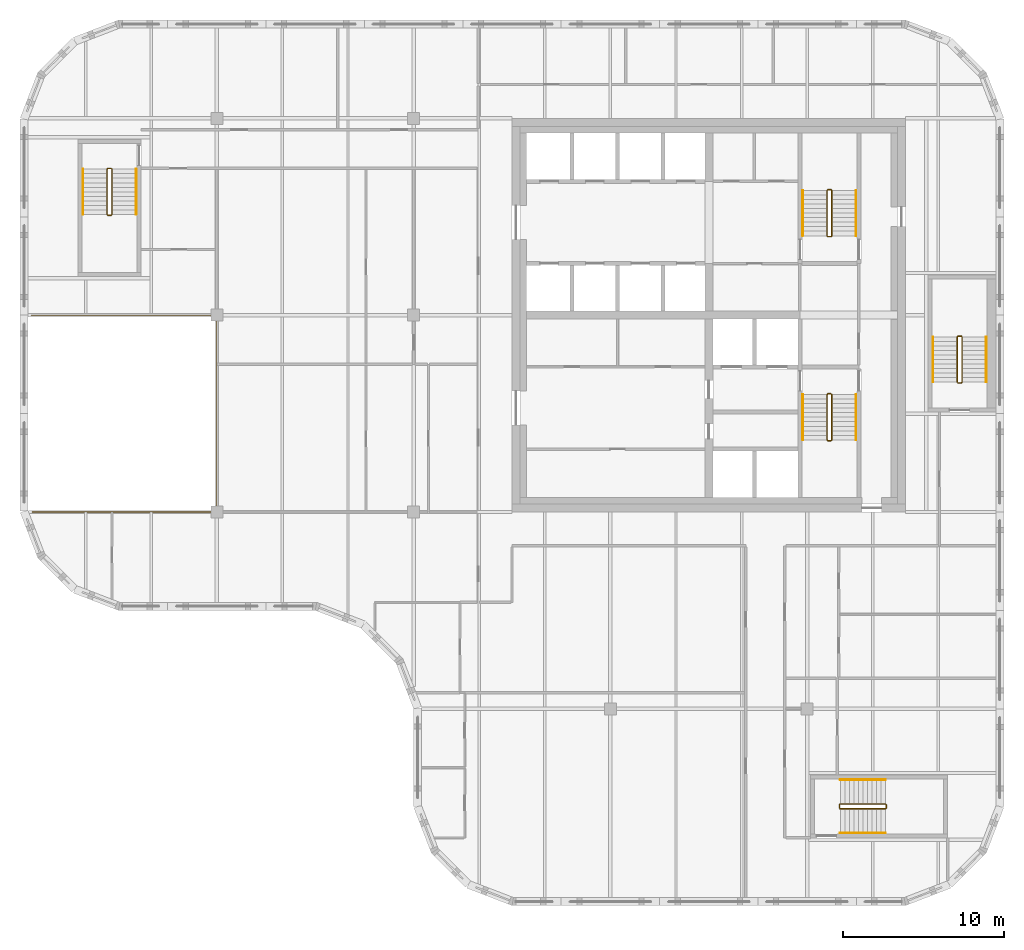
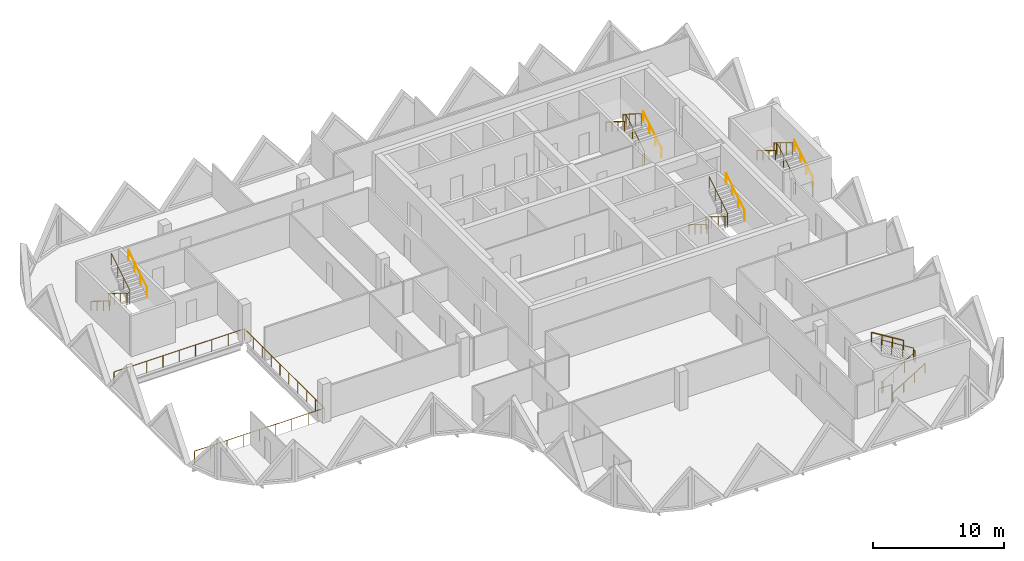
# One storey, part 11 of 11: 16 railings.
"""IFC4 building model written with IfcOpenShell, lengths in metres."""

from ifc_helpers import new_model, si_unit, direction, frame, origin, origin_2d, place, context, subcontext, project, spatial, circle, extrude, material, type_object, element, save


model = new_model("IFC4")

# Units and contexts
model_context = context("Model", 3, precision=1e-05, world=origin(), true_north=direction((0.0, 1.0)))
body_context = subcontext(model_context, "Body", "Model", "MODEL_VIEW")
ifc_project = project(units=[si_unit("LENGTHUNIT", "METRE"), si_unit("AREAUNIT", "SQUARE_METRE"), si_unit("VOLUMEUNIT", "CUBIC_METRE"), si_unit("PLANEANGLEUNIT", "RADIAN"), si_unit("MASSUNIT", "GRAM", prefix="KILO")], contexts=[model_context])

# Site, building, storey
site_placement = place(None, origin())
site = spatial("IfcSite", under=ifc_project, at=site_placement, CompositionType="ELEMENT")
building_placement = place(site_placement, origin())
building = spatial("IfcBuilding", under=site, at=building_placement, Name="Tessera Gate Towers", CompositionType="ELEMENT")
storey_placement = place(building_placement, frame((0.0, 0.0, 197.89990234375)))
storey = spatial("IfcBuildingStorey", under=building, at=storey_placement, Name="L49", CompositionType="ELEMENT", Elevation=197.89990234375)

# Railings
ifc_material_1 = material(Name="Toughened glass with stainless steel handrail", Category="steel")
railing_type_1 = type_object("IfcRailingType", Name="GUARD 1100 GLASS BALUSTRADE", PredefinedType="GUARDRAIL", material=ifc_material_1)
railing_1_placement = place(storey_placement, frame((0.750244140625, 24.39990234375, 0.0)))
element("IfcRailing", 1, at=railing_1_placement, inside=storey, type_object=railing_type_1, Name="Guard", PredefinedType="GUARDRAIL", context=body_context, shape_type="SweptSolid", body=[
    extrude(circle(Radius=0.02490234375, at=origin_2d()), frame((0.0, 0.0, 1.0751953125), z_axis=(1.0, 0.0, 0.0), x_axis=(0.0, 1.0, 0.0)), (0.0, 0.0, 1.0), 11.44970703125),
    extrude(circle(Radius=0.02490234375, at=origin_2d()), frame((11.44970703125, 0.0, 1.0751953125), z_axis=(0.0, 1.0, 0.0), x_axis=(-1.0, 0.0, 0.0)), (0.0, 0.0, 1.0), 12.2001953125),
    extrude(circle(Radius=0.02490234375, at=origin_2d()), frame((11.44970703125, 12.2001953125, 1.0751953125), z_axis=(-1.0, 0.0, 0.0), x_axis=(0.0, -1.0, 0.0)), (0.0, 0.0, 1.0), 11.5),
    extrude(circle(Radius=0.02490234375, at=origin_2d()), origin(), (0.0, 0.0, 1.0), 1.050048828125),
    extrude(circle(Radius=0.02490234375, at=origin_2d()), frame((1.43115234375, 0.0, 0.0)), (0.0, 0.0, 1.0), 1.050048828125),
    extrude(circle(Radius=0.02490234375, at=origin_2d()), frame((2.8623046875, 0.0, 0.0)), (0.0, 0.0, 1.0), 1.050048828125),
    extrude(circle(Radius=0.02490234375, at=origin_2d()), frame((4.293701171875, 0.0, 0.0)), (0.0, 0.0, 1.0), 1.050048828125),
    extrude(circle(Radius=0.02490234375, at=origin_2d()), frame((5.724853515625, 0.0, 0.0)), (0.0, 0.0, 1.0), 1.050048828125),
    extrude(circle(Radius=0.02490234375, at=origin_2d()), frame((7.156005859375, 0.0, 0.0)), (0.0, 0.0, 1.0), 1.050048828125),
    extrude(circle(Radius=0.02490234375, at=origin_2d()), frame((8.58740234375, 0.0, 0.0)), (0.0, 0.0, 1.0), 1.050048828125),
    extrude(circle(Radius=0.02490234375, at=origin_2d()), frame((10.0185546875, 0.0, 0.0)), (0.0, 0.0, 1.0), 1.050048828125),
    extrude(circle(Radius=0.02490234375, at=origin_2d()), frame((11.44970703125, 0.0, 0.0)), (0.0, 0.0, 1.0), 1.050048828125),
    extrude(circle(Radius=0.02490234375, at=origin_2d()), frame((11.44970703125, 1.35546875, 0.0)), (0.0, 0.0, 1.0), 1.050048828125),
    extrude(circle(Radius=0.02490234375, at=origin_2d()), frame((11.44970703125, 2.711181640625, 0.0)), (0.0, 0.0, 1.0), 1.050048828125),
    extrude(circle(Radius=0.02490234375, at=origin_2d()), frame((11.44970703125, 4.066650390625, 0.0)), (0.0, 0.0, 1.0), 1.050048828125),
    extrude(circle(Radius=0.02490234375, at=origin_2d()), frame((11.44970703125, 5.42236328125, 0.0)), (0.0, 0.0, 1.0), 1.050048828125),
    extrude(circle(Radius=0.02490234375, at=origin_2d()), frame((11.44970703125, 6.77783203125, 0.0)), (0.0, 0.0, 1.0), 1.050048828125),
    extrude(circle(Radius=0.02490234375, at=origin_2d()), frame((11.44970703125, 8.133544921875, 0.0)), (0.0, 0.0, 1.0), 1.050048828125),
    extrude(circle(Radius=0.02490234375, at=origin_2d()), frame((11.44970703125, 9.489013671875, 0.0)), (0.0, 0.0, 1.0), 1.050048828125),
    extrude(circle(Radius=0.02490234375, at=origin_2d()), frame((11.44970703125, 10.8447265625, 0.0)), (0.0, 0.0, 1.0), 1.050048828125),
    extrude(circle(Radius=0.02490234375, at=origin_2d()), frame((11.44970703125, 12.2001953125, 0.0)), (0.0, 0.0, 1.0), 1.050048828125),
    extrude(circle(Radius=0.02490234375, at=origin_2d()), frame((10.01220703125, 12.2001953125, 0.0)), (0.0, 0.0, 1.0), 1.050048828125),
    extrude(circle(Radius=0.02490234375, at=origin_2d()), frame((8.57470703125, 12.2001953125, 0.0)), (0.0, 0.0, 1.0), 1.050048828125),
    extrude(circle(Radius=0.02490234375, at=origin_2d()), frame((7.13720703125, 12.2001953125, 0.0)), (0.0, 0.0, 1.0), 1.050048828125),
    extrude(circle(Radius=0.02490234375, at=origin_2d()), frame((5.69970703125, 12.2001953125, 0.0)), (0.0, 0.0, 1.0), 1.050048828125),
    extrude(circle(Radius=0.02490234375, at=origin_2d()), frame((4.26220703125, 12.2001953125, 0.0)), (0.0, 0.0, 1.0), 1.050048828125),
    extrude(circle(Radius=0.02490234375, at=origin_2d()), frame((2.82470703125, 12.2001953125, 0.0)), (0.0, 0.0, 1.0), 1.050048828125),
    extrude(circle(Radius=0.02490234375, at=origin_2d()), frame((1.38720703125, 12.2001953125, 0.0)), (0.0, 0.0, 1.0), 1.050048828125),
    extrude(circle(Radius=0.02490234375, at=origin_2d()), frame((-0.05029296875, 12.2001953125, 0.0)), (0.0, 0.0, 1.0), 1.050048828125),
])
ifc_material_2 = material(Name="Steel 350W", Category="steel")
railing_type_2 = type_object("IfcRailingType", Name="STAIR GUARD 1100", PredefinedType="GUARDRAIL", material=ifc_material_2)
railing_2_placement = place(storey_placement, frame((50.27490234375, 31.72509765625, 0.0)))
element("IfcRailing", 2, at=railing_2_placement, inside=storey, type_object=railing_type_2, Name="L49 ST1 stair guard 1", PredefinedType="GUARDRAIL", context=body_context, shape_type="SweptSolid", body=[
    extrude(circle(Radius=0.02392578125, at=origin_2d()), frame((0.0, 0.0, 1.076171875), z_axis=(-1.0, 0.0, 0.0), x_axis=(0.0, -1.0, 0.0)), (0.0, 0.0, 1.0), 0.199951171875),
    extrude(circle(Radius=0.02392578125, at=origin_2d()), frame((-0.199951171875, 0.0, 1.076171875), z_axis=(-0.267953482034, -0.267953482034, 0.925419830635), x_axis=(0.707106781187, -0.707106781187, 0.0)), (0.0, 0.0, 1.0), 0.186767578125),
    extrude(circle(Radius=0.02392578125, at=origin_2d()), frame((-0.25, -0.050048828125, 1.2490234375), z_axis=(0.0, -0.851089632645, 0.525020415988), x_axis=(1.0, 0.0, 0.0)), (0.0, 0.0, 1.0), 3.2900390625),
    extrude(circle(Radius=0.02392578125, at=origin_2d()), frame((-0.25, -2.85009765625, 2.97607421875), z_axis=(0.707106781187, -0.707106781187, 0.0), x_axis=(0.707106781187, 0.707106781187, 0.0)), (0.0, 0.0, 1.0), 0.07080078125),
    extrude(circle(Radius=0.02392578125, at=origin_2d()), frame((-0.199951171875, -2.900146484375, 2.97607421875), z_axis=(1.0, 0.0, 0.0), x_axis=(0.0, 1.0, 0.0)), (0.0, 0.0, 1.0), 0.199951171875),
    extrude(circle(Radius=0.02392578125, at=origin_2d()), frame((0.0, -2.900146484375, 2.97607421875), z_axis=(0.268277960024, 0.268277960024, 0.925231793839), x_axis=(-0.707106781187, 0.707106781187, 0.0)), (0.0, 0.0, 1.0), 0.1865234375),
    extrude(circle(Radius=0.02392578125, at=origin_2d()), frame((0.050048828125, -2.85009765625, 3.14892578125), z_axis=(0.0, 0.851089632645, 0.525020415988), x_axis=(-1.0, 0.0, 0.0)), (0.0, 0.0, 1.0), 3.2900390625),
    extrude(circle(Radius=0.02099609375, at=origin_2d()), origin(), (0.0, 0.0, 1.0), 1.052001953125),
    extrude(circle(Radius=0.02099609375, at=origin_2d()), frame((-0.199951171875, 0.0, 0.0)), (0.0, 0.0, 1.0), 1.052001953125),
    extrude(circle(Radius=0.02099609375, at=origin_2d()), frame((-0.25, -0.050048828125, 0.1728515625)), (0.0, 0.0, 1.0), 1.052001953125),
    extrude(circle(Radius=0.02099609375, at=origin_2d()), frame((-0.25, -0.9833984375, 0.74853515625)), (0.0, 0.0, 1.0), 1.052001953125),
    extrude(circle(Radius=0.02099609375, at=origin_2d()), frame((-0.25, -1.916748046875, 1.324462890625)), (0.0, 0.0, 1.0), 1.052001953125),
    extrude(circle(Radius=0.02099609375, at=origin_2d()), frame((-0.25, -2.85009765625, 1.900146484375)), (0.0, 0.0, 1.0), 1.052001953125),
    extrude(circle(Radius=0.02099609375, at=origin_2d()), frame((-0.199951171875, -2.900146484375, 1.900146484375)), (0.0, 0.0, 1.0), 1.052001953125),
    extrude(circle(Radius=0.02099609375, at=origin_2d()), frame((0.0, -2.900146484375, 1.900146484375)), (0.0, 0.0, 1.0), 1.052001953125),
    extrude(circle(Radius=0.02099609375, at=origin_2d()), frame((0.050048828125, -2.85009765625, 2.07275390625)), (0.0, 0.0, 1.0), 1.052001953125),
    extrude(circle(Radius=0.02099609375, at=origin_2d()), frame((0.050048828125, -1.916748046875, 2.6484375)), (0.0, 0.0, 1.0), 1.052001953125),
    extrude(circle(Radius=0.02099609375, at=origin_2d()), frame((0.050048828125, -0.9833984375, 3.224365234375)), (0.0, 0.0, 1.0), 1.052001953125),
    extrude(circle(Radius=0.02099609375, at=origin_2d()), frame((0.050048828125, -0.050048828125, 3.800048828125)), (0.0, 0.0, 1.0), 1.052001953125),
])
railing_3_placement = place(storey_placement, frame((50.074951171875, 41.47509765625, 0.0)))
element("IfcRailing", 3, at=railing_3_placement, inside=storey, type_object=railing_type_2, Name="L49 ST2 stair guard 1", PredefinedType="GUARDRAIL", context=body_context, shape_type="SweptSolid", body=[
    extrude(circle(Radius=0.02392578125, at=origin_2d()), frame((0.0, 0.0, 1.076171875), z_axis=(1.0, 0.0, 0.0), x_axis=(0.0, 1.0, 0.0)), (0.0, 0.0, 1.0), 0.199951171875),
    extrude(circle(Radius=0.02392578125, at=origin_2d()), frame((0.199951171875, 0.0, 1.076171875), z_axis=(0.268047150085, 0.266739603011, 0.925743328097), x_axis=(-0.705375805398, 0.708833529934, 0.0)), (0.0, 0.0, 1.0), 0.186767578125),
    extrude(circle(Radius=0.02392578125, at=origin_2d()), frame((0.25, 0.0498046875, 1.2490234375), z_axis=(0.0, 0.851089632645, 0.525020415988), x_axis=(-1.0, 0.0, 0.0)), (0.0, 0.0, 1.0), 3.2900390625),
    extrude(circle(Radius=0.02392578125, at=origin_2d()), frame((0.25, 2.849853515625, 2.97607421875), z_axis=(-0.707106781187, 0.707106781187, 0.0), x_axis=(-0.707106781187, -0.707106781187, 0.0)), (0.0, 0.0, 1.0), 0.07080078125),
    extrude(circle(Radius=0.02392578125, at=origin_2d()), frame((0.199951171875, 2.89990234375, 2.97607421875), z_axis=(-1.0, 0.0, 0.0), x_axis=(0.0, -1.0, 0.0)), (0.0, 0.0, 1.0), 0.199951171875),
    extrude(circle(Radius=0.02392578125, at=origin_2d()), frame((0.0, 2.89990234375, 2.97607421875), z_axis=(-0.268277960024, -0.268277960024, 0.925231793839), x_axis=(0.707106781187, -0.707106781187, 0.0)), (0.0, 0.0, 1.0), 0.1865234375),
    extrude(circle(Radius=0.02392578125, at=origin_2d()), frame((-0.050048828125, 2.849853515625, 3.14892578125), z_axis=(0.0, -0.851089632645, 0.525020415988), x_axis=(1.0, 0.0, 0.0)), (0.0, 0.0, 1.0), 3.2900390625),
    extrude(circle(Radius=0.02099609375, at=origin_2d()), origin(), (0.0, 0.0, 1.0), 1.052001953125),
    extrude(circle(Radius=0.02099609375, at=origin_2d()), frame((0.199951171875, 0.0, 0.0)), (0.0, 0.0, 1.0), 1.052001953125),
    extrude(circle(Radius=0.02099609375, at=origin_2d()), frame((0.25, 0.0498046875, 0.1728515625)), (0.0, 0.0, 1.0), 1.052001953125),
    extrude(circle(Radius=0.02099609375, at=origin_2d()), frame((0.25, 0.983154296875, 0.74853515625)), (0.0, 0.0, 1.0), 1.052001953125),
    extrude(circle(Radius=0.02099609375, at=origin_2d()), frame((0.25, 1.91650390625, 1.324462890625)), (0.0, 0.0, 1.0), 1.052001953125),
    extrude(circle(Radius=0.02099609375, at=origin_2d()), frame((0.25, 2.849853515625, 1.900146484375)), (0.0, 0.0, 1.0), 1.052001953125),
    extrude(circle(Radius=0.02099609375, at=origin_2d()), frame((0.199951171875, 2.89990234375, 1.900146484375)), (0.0, 0.0, 1.0), 1.052001953125),
    extrude(circle(Radius=0.02099609375, at=origin_2d()), frame((0.0, 2.89990234375, 1.900146484375)), (0.0, 0.0, 1.0), 1.052001953125),
    extrude(circle(Radius=0.02099609375, at=origin_2d()), frame((-0.050048828125, 2.849853515625, 2.07275390625)), (0.0, 0.0, 1.0), 1.052001953125),
    extrude(circle(Radius=0.02099609375, at=origin_2d()), frame((-0.050048828125, 1.91650390625, 2.6484375)), (0.0, 0.0, 1.0), 1.052001953125),
    extrude(circle(Radius=0.02099609375, at=origin_2d()), frame((-0.050048828125, 0.983154296875, 3.224365234375)), (0.0, 0.0, 1.0), 1.052001953125),
    extrude(circle(Radius=0.02099609375, at=origin_2d()), frame((-0.050048828125, 0.0498046875, 3.800048828125)), (0.0, 0.0, 1.0), 1.052001953125),
])
railing_4_placement = place(storey_placement, frame((5.64990234375, 45.699951171875, 0.0)))
element("IfcRailing", 4, at=railing_4_placement, inside=storey, type_object=railing_type_2, Name="L49 ST3 stair guard 1", PredefinedType="GUARDRAIL", context=body_context, shape_type="SweptSolid", body=[
    extrude(circle(Radius=0.02392578125, at=origin_2d()), frame((0.0, 0.0, 1.076171875), z_axis=(-1.0, 0.0, 0.0), x_axis=(0.0, -1.0, 0.0)), (0.0, 0.0, 1.0), 0.199951171875),
    extrude(circle(Radius=0.02392578125, at=origin_2d()), frame((-0.199951171875, 0.0, 1.076171875), z_axis=(-0.267953482034, -0.267953482034, 0.925419830635), x_axis=(0.707106781187, -0.707106781187, 0.0)), (0.0, 0.0, 1.0), 0.186767578125),
    extrude(circle(Radius=0.02392578125, at=origin_2d()), frame((-0.25, -0.050048828125, 1.2490234375), z_axis=(0.0, -0.851069175582, 0.525053576669), x_axis=(1.0, 0.0, 0.0)), (0.0, 0.0, 1.0), 3.289794921875),
    extrude(circle(Radius=0.02392578125, at=origin_2d()), frame((-0.25, -2.849853515625, 2.97607421875), z_axis=(0.707106781187, -0.707106781187, 0.0), x_axis=(0.707106781187, 0.707106781187, 0.0)), (0.0, 0.0, 1.0), 0.07080078125),
    extrude(circle(Radius=0.02392578125, at=origin_2d()), frame((-0.199951171875, -2.89990234375, 2.97607421875), z_axis=(1.0, 0.0, 0.0), x_axis=(0.0, 1.0, 0.0)), (0.0, 0.0, 1.0), 0.199951171875),
    extrude(circle(Radius=0.02392578125, at=origin_2d()), frame((0.0, -2.89990234375, 2.97607421875), z_axis=(0.268277960024, 0.268277960024, 0.925231793839), x_axis=(-0.707106781187, 0.707106781187, 0.0)), (0.0, 0.0, 1.0), 0.1865234375),
    extrude(circle(Radius=0.02392578125, at=origin_2d()), frame((0.050048828125, -2.849853515625, 3.14892578125), z_axis=(0.0, 0.851069175582, 0.525053576669), x_axis=(-1.0, 0.0, 0.0)), (0.0, 0.0, 1.0), 3.289794921875),
    extrude(circle(Radius=0.02099609375, at=origin_2d()), origin(), (0.0, 0.0, 1.0), 1.052001953125),
    extrude(circle(Radius=0.02099609375, at=origin_2d()), frame((-0.199951171875, 0.0, 0.0)), (0.0, 0.0, 1.0), 1.052001953125),
    extrude(circle(Radius=0.02099609375, at=origin_2d()), frame((-0.25, -0.050048828125, 0.1728515625)), (0.0, 0.0, 1.0), 1.052001953125),
    extrude(circle(Radius=0.02099609375, at=origin_2d()), frame((-0.25, -0.9833984375, 0.74853515625)), (0.0, 0.0, 1.0), 1.052001953125),
    extrude(circle(Radius=0.02099609375, at=origin_2d()), frame((-0.25, -1.91650390625, 1.324462890625)), (0.0, 0.0, 1.0), 1.052001953125),
    extrude(circle(Radius=0.02099609375, at=origin_2d()), frame((-0.25, -2.849853515625, 1.900146484375)), (0.0, 0.0, 1.0), 1.052001953125),
    extrude(circle(Radius=0.02099609375, at=origin_2d()), frame((-0.199951171875, -2.89990234375, 1.900146484375)), (0.0, 0.0, 1.0), 1.052001953125),
    extrude(circle(Radius=0.02099609375, at=origin_2d()), frame((0.0, -2.89990234375, 1.900146484375)), (0.0, 0.0, 1.0), 1.052001953125),
    extrude(circle(Radius=0.02099609375, at=origin_2d()), frame((0.050048828125, -2.849853515625, 2.07275390625)), (0.0, 0.0, 1.0), 1.052001953125),
    extrude(circle(Radius=0.02099609375, at=origin_2d()), frame((0.050048828125, -1.91650390625, 2.6484375)), (0.0, 0.0, 1.0), 1.052001953125),
    extrude(circle(Radius=0.02099609375, at=origin_2d()), frame((0.050048828125, -0.9833984375, 3.224365234375)), (0.0, 0.0, 1.0), 1.052001953125),
    extrude(circle(Radius=0.02099609375, at=origin_2d()), frame((0.050048828125, -0.050048828125, 3.800048828125)), (0.0, 0.0, 1.0), 1.052001953125),
])
railing_5_placement = place(storey_placement, frame((50.800048828125, 6.25, 0.0)))
element("IfcRailing", 5, at=railing_5_placement, inside=storey, type_object=railing_type_2, Name="L49 ST4 stair guard 1", PredefinedType="GUARDRAIL", context=body_context, shape_type="SweptSolid", body=[
    extrude(circle(Radius=0.02392578125, at=origin_2d()), frame((0.0, 0.0, 1.076171875), z_axis=(0.0, -1.0, 0.0), x_axis=(1.0, 0.0, 0.0)), (0.0, 0.0, 1.0), 0.199951171875),
    extrude(circle(Radius=0.02392578125, at=origin_2d()), frame((0.0, -0.199951171875, 1.076171875), z_axis=(0.267953482034, -0.267953482034, 0.925419830635), x_axis=(0.707106781187, 0.707106781187, 0.0)), (0.0, 0.0, 1.0), 0.186767578125),
    extrude(circle(Radius=0.02392578125, at=origin_2d()), frame((0.050048828125, -0.25, 1.2490234375), z_axis=(0.851069175582, 0.0, 0.525053576669), x_axis=(0.0, 1.0, 0.0)), (0.0, 0.0, 1.0), 3.289794921875),
    extrude(circle(Radius=0.02392578125, at=origin_2d()), frame((2.849853515625, -0.25, 2.97607421875), z_axis=(0.707106781187, 0.707106781187, 0.0), x_axis=(-0.707106781187, 0.707106781187, 0.0)), (0.0, 0.0, 1.0), 0.07080078125),
    extrude(circle(Radius=0.02392578125, at=origin_2d()), frame((2.89990234375, -0.199951171875, 2.97607421875), z_axis=(0.0, 1.0, 0.0), x_axis=(-1.0, 0.0, 0.0)), (0.0, 0.0, 1.0), 0.199951171875),
    extrude(circle(Radius=0.02392578125, at=origin_2d()), frame((2.89990234375, 0.0, 2.97607421875), z_axis=(-0.268277960024, 0.268277960024, 0.925231793839), x_axis=(-0.707106781187, -0.707106781187, 0.0)), (0.0, 0.0, 1.0), 0.1865234375),
    extrude(circle(Radius=0.02392578125, at=origin_2d()), frame((2.849853515625, 0.050048828125, 3.14892578125), z_axis=(-0.851069175582, 0.0, 0.525053576669), x_axis=(0.0, -1.0, 0.0)), (0.0, 0.0, 1.0), 3.289794921875),
    extrude(circle(Radius=0.02099609375, at=origin_2d()), origin(), (0.0, 0.0, 1.0), 1.052001953125),
    extrude(circle(Radius=0.02099609375, at=origin_2d()), frame((0.0, -0.199951171875, 0.0)), (0.0, 0.0, 1.0), 1.052001953125),
    extrude(circle(Radius=0.02099609375, at=origin_2d()), frame((0.050048828125, -0.25, 0.1728515625)), (0.0, 0.0, 1.0), 1.052001953125),
    extrude(circle(Radius=0.02099609375, at=origin_2d()), frame((0.9833984375, -0.25, 0.74853515625)), (0.0, 0.0, 1.0), 1.052001953125),
    extrude(circle(Radius=0.02099609375, at=origin_2d()), frame((1.91650390625, -0.25, 1.324462890625)), (0.0, 0.0, 1.0), 1.052001953125),
    extrude(circle(Radius=0.02099609375, at=origin_2d()), frame((2.849853515625, -0.25, 1.900146484375)), (0.0, 0.0, 1.0), 1.052001953125),
    extrude(circle(Radius=0.02099609375, at=origin_2d()), frame((2.89990234375, -0.199951171875, 1.900146484375)), (0.0, 0.0, 1.0), 1.052001953125),
    extrude(circle(Radius=0.02099609375, at=origin_2d()), frame((2.89990234375, 0.0, 1.900146484375)), (0.0, 0.0, 1.0), 1.052001953125),
    extrude(circle(Radius=0.02099609375, at=origin_2d()), frame((2.849853515625, 0.050048828125, 2.07275390625)), (0.0, 0.0, 1.0), 1.052001953125),
    extrude(circle(Radius=0.02099609375, at=origin_2d()), frame((1.91650390625, 0.050048828125, 2.6484375)), (0.0, 0.0, 1.0), 1.052001953125),
    extrude(circle(Radius=0.02099609375, at=origin_2d()), frame((0.9833984375, 0.050048828125, 3.224365234375)), (0.0, 0.0, 1.0), 1.052001953125),
    extrude(circle(Radius=0.02099609375, at=origin_2d()), frame((0.050048828125, 0.050048828125, 3.800048828125)), (0.0, 0.0, 1.0), 1.052001953125),
])
railing_6_placement = place(storey_placement, frame((58.14990234375, 32.39990234375, 0.0)))
element("IfcRailing", 6, at=railing_6_placement, inside=storey, type_object=railing_type_2, Name="L49 ST5 stair guard 1", PredefinedType="GUARDRAIL", context=body_context, shape_type="SweptSolid", body=[
    extrude(circle(Radius=0.02392578125, at=origin_2d()), frame((0.0, 0.0, 1.076171875), z_axis=(1.0, 0.0, 0.0), x_axis=(0.0, 1.0, 0.0)), (0.0, 0.0, 1.0), 0.2001953125),
    extrude(circle(Radius=0.02392578125, at=origin_2d()), frame((0.2001953125, 0.0, 1.076171875), z_axis=(0.266739603011, 0.268047150085, 0.925743328097), x_axis=(-0.708833529934, 0.705375805398, 0.0)), (0.0, 0.0, 1.0), 0.186767578125),
    extrude(circle(Radius=0.02392578125, at=origin_2d()), frame((0.25, 0.050048828125, 1.2490234375), z_axis=(0.0, 0.851089632645, 0.525020415988), x_axis=(-1.0, 0.0, 0.0)), (0.0, 0.0, 1.0), 3.2900390625),
    extrude(circle(Radius=0.02392578125, at=origin_2d()), frame((0.25, 2.85009765625, 2.97607421875), z_axis=(-0.705375805398, 0.708833529934, 0.0), x_axis=(-0.708833529934, -0.705375805398, 0.0)), (0.0, 0.0, 1.0), 0.070556640625),
    extrude(circle(Radius=0.02392578125, at=origin_2d()), frame((0.2001953125, 2.900146484375, 2.97607421875), z_axis=(-1.0, 0.0, 0.0), x_axis=(0.0, -1.0, 0.0)), (0.0, 0.0, 1.0), 0.2001953125),
    extrude(circle(Radius=0.02392578125, at=origin_2d()), frame((0.0, 2.900146484375, 2.97607421875), z_axis=(-0.267062837333, -0.268371968888, 0.925556009775), x_axis=(0.708833529934, -0.705375805398, 0.0)), (0.0, 0.0, 1.0), 0.1865234375),
    extrude(circle(Radius=0.02392578125, at=origin_2d()), frame((-0.0498046875, 2.85009765625, 3.14892578125), z_axis=(0.0, -0.851089632645, 0.525020415988), x_axis=(1.0, 0.0, 0.0)), (0.0, 0.0, 1.0), 3.2900390625),
    extrude(circle(Radius=0.02099609375, at=origin_2d()), origin(), (0.0, 0.0, 1.0), 1.052001953125),
    extrude(circle(Radius=0.02099609375, at=origin_2d()), frame((0.2001953125, 0.0, 0.0)), (0.0, 0.0, 1.0), 1.052001953125),
    extrude(circle(Radius=0.02099609375, at=origin_2d()), frame((0.25, 0.050048828125, 0.1728515625)), (0.0, 0.0, 1.0), 1.052001953125),
    extrude(circle(Radius=0.02099609375, at=origin_2d()), frame((0.25, 0.9833984375, 0.74853515625)), (0.0, 0.0, 1.0), 1.052001953125),
    extrude(circle(Radius=0.02099609375, at=origin_2d()), frame((0.25, 1.916748046875, 1.324462890625)), (0.0, 0.0, 1.0), 1.052001953125),
    extrude(circle(Radius=0.02099609375, at=origin_2d()), frame((0.25, 2.85009765625, 1.900146484375)), (0.0, 0.0, 1.0), 1.052001953125),
    extrude(circle(Radius=0.02099609375, at=origin_2d()), frame((0.2001953125, 2.900146484375, 1.900146484375)), (0.0, 0.0, 1.0), 1.052001953125),
    extrude(circle(Radius=0.02099609375, at=origin_2d()), frame((0.0, 2.900146484375, 1.900146484375)), (0.0, 0.0, 1.0), 1.052001953125),
    extrude(circle(Radius=0.02099609375, at=origin_2d()), frame((-0.0498046875, 2.85009765625, 2.07275390625)), (0.0, 0.0, 1.0), 1.052001953125),
    extrude(circle(Radius=0.02099609375, at=origin_2d()), frame((-0.0498046875, 1.916748046875, 2.6484375)), (0.0, 0.0, 1.0), 1.052001953125),
    extrude(circle(Radius=0.02099609375, at=origin_2d()), frame((-0.0498046875, 0.9833984375, 3.224365234375)), (0.0, 0.0, 1.0), 1.052001953125),
    extrude(circle(Radius=0.02099609375, at=origin_2d()), frame((-0.0498046875, 0.050048828125, 3.800048828125)), (0.0, 0.0, 1.0), 1.052001953125),
])
ifc_material_3 = material(Name="Steel 350W", Category="steel")
railing_type_3 = type_object("IfcRailingType", Name="STAIR HANDRAIL 900", PredefinedType="HANDRAIL", material=ifc_material_3)
railing_7_placement = place(storey_placement, frame((48.52490234375, 31.675048828125, 0.1728515625)))
element("IfcRailing", 7, at=railing_7_placement, inside=storey, type_object=railing_type_3, Name="L49 ST1 stair handrail 1", PredefinedType="HANDRAIL", context=body_context, shape_type="SweptSolid", body=[
    extrude(circle(Radius=0.02392578125, at=origin_2d()), frame((0.0, 0.0, 0.8759765625), z_axis=(0.0, -0.851089632645, 0.525020415988), x_axis=(1.0, 0.0, 0.0)), (0.0, 0.0, 1.0), 3.2900390625),
    extrude(circle(Radius=0.02099609375, at=origin_2d()), origin(), (0.0, 0.0, 1.0), 0.851806640625),
    extrude(circle(Radius=0.02099609375, at=origin_2d()), frame((0.0, -0.933349609375, 0.57568359375)), (0.0, 0.0, 1.0), 0.851806640625),
    extrude(circle(Radius=0.02099609375, at=origin_2d()), frame((0.0, -1.86669921875, 1.151611328125)), (0.0, 0.0, 1.0), 0.851806640625),
    extrude(circle(Radius=0.02099609375, at=origin_2d()), frame((0.0, -2.800048828125, 1.727294921875)), (0.0, 0.0, 1.0), 0.851806640625),
])
for number, where, name in (
    (8, (51.824951171875, 28.875, 2.07275390625), "L49 ST1 stair handrail 2"),
    (9, (51.824951171875, 41.52490234375, 0.1728515625), "L49 ST2 stair handrail 1"),
):
    element("IfcRailing", number, at=place(storey_placement, frame(where)), inside=storey, type_object=railing_type_3, Name=name, PredefinedType="HANDRAIL", context=body_context, shape_type="SweptSolid", body=[
        extrude(circle(Radius=0.02392578125, at=origin_2d()), frame((0.0, 0.0, 0.8759765625), z_axis=(0.0, 0.851089632645, 0.525020415988), x_axis=(-1.0, 0.0, 0.0)), (0.0, 0.0, 1.0), 3.2900390625),
        extrude(circle(Radius=0.02099609375, at=origin_2d()), origin(), (0.0, 0.0, 1.0), 0.851806640625),
        extrude(circle(Radius=0.02099609375, at=origin_2d()), frame((0.0, 0.933349609375, 0.57568359375)), (0.0, 0.0, 1.0), 0.851806640625),
        extrude(circle(Radius=0.02099609375, at=origin_2d()), frame((0.0, 1.86669921875, 1.151611328125)), (0.0, 0.0, 1.0), 0.851806640625),
        extrude(circle(Radius=0.02099609375, at=origin_2d()), frame((0.0, 2.800048828125, 1.727294921875)), (0.0, 0.0, 1.0), 0.851806640625),
    ])
railing_8_placement = place(storey_placement, frame((48.52490234375, 44.324951171875, 2.07275390625)))
element("IfcRailing", 10, at=railing_8_placement, inside=storey, type_object=railing_type_3, Name="L49 ST2 stair handrail 2", PredefinedType="HANDRAIL", context=body_context, shape_type="SweptSolid", body=[
    extrude(circle(Radius=0.02392578125, at=origin_2d()), frame((0.0, 0.0, 0.8759765625), z_axis=(0.0, -0.851089632645, 0.525020415988), x_axis=(1.0, 0.0, 0.0)), (0.0, 0.0, 1.0), 3.2900390625),
    extrude(circle(Radius=0.02099609375, at=origin_2d()), origin(), (0.0, 0.0, 1.0), 0.851806640625),
    extrude(circle(Radius=0.02099609375, at=origin_2d()), frame((0.0, -0.933349609375, 0.57568359375)), (0.0, 0.0, 1.0), 0.851806640625),
    extrude(circle(Radius=0.02099609375, at=origin_2d()), frame((0.0, -1.86669921875, 1.151611328125)), (0.0, 0.0, 1.0), 0.851806640625),
    extrude(circle(Radius=0.02099609375, at=origin_2d()), frame((0.0, -2.800048828125, 1.727294921875)), (0.0, 0.0, 1.0), 0.851806640625),
])
railing_9_placement = place(storey_placement, frame((3.89990234375, 45.64990234375, 0.1728515625)))
element("IfcRailing", 11, at=railing_9_placement, inside=storey, type_object=railing_type_3, Name="L49 ST3 stair handrail 1", PredefinedType="HANDRAIL", context=body_context, shape_type="SweptSolid", body=[
    extrude(circle(Radius=0.02392578125, at=origin_2d()), frame((0.0, 0.0, 0.8759765625), z_axis=(0.0, -0.851069175582, 0.525053576669), x_axis=(1.0, 0.0, 0.0)), (0.0, 0.0, 1.0), 3.289794921875),
    extrude(circle(Radius=0.02099609375, at=origin_2d()), origin(), (0.0, 0.0, 1.0), 0.851806640625),
    extrude(circle(Radius=0.02099609375, at=origin_2d()), frame((0.0, -0.933349609375, 0.57568359375)), (0.0, 0.0, 1.0), 0.851806640625),
    extrude(circle(Radius=0.02099609375, at=origin_2d()), frame((0.0, -1.866455078125, 1.151611328125)), (0.0, 0.0, 1.0), 0.851806640625),
    extrude(circle(Radius=0.02099609375, at=origin_2d()), frame((0.0, -2.7998046875, 1.727294921875)), (0.0, 0.0, 1.0), 0.851806640625),
])
railing_10_placement = place(storey_placement, frame((7.199951171875, 42.85009765625, 2.07275390625)))
element("IfcRailing", 12, at=railing_10_placement, inside=storey, type_object=railing_type_3, Name="L49 ST3 stair handrail 2", PredefinedType="HANDRAIL", context=body_context, shape_type="SweptSolid", body=[
    extrude(circle(Radius=0.02392578125, at=origin_2d()), frame((0.0, 0.0, 0.8759765625), z_axis=(0.0, 0.851069175582, 0.525053576669), x_axis=(-1.0, 0.0, 0.0)), (0.0, 0.0, 1.0), 3.289794921875),
    extrude(circle(Radius=0.02099609375, at=origin_2d()), origin(), (0.0, 0.0, 1.0), 0.851806640625),
    extrude(circle(Radius=0.02099609375, at=origin_2d()), frame((0.0, 0.933349609375, 0.57568359375)), (0.0, 0.0, 1.0), 0.851806640625),
    extrude(circle(Radius=0.02099609375, at=origin_2d()), frame((0.0, 1.866455078125, 1.151611328125)), (0.0, 0.0, 1.0), 0.851806640625),
    extrude(circle(Radius=0.02099609375, at=origin_2d()), frame((0.0, 2.7998046875, 1.727294921875)), (0.0, 0.0, 1.0), 0.851806640625),
])
railing_11_placement = place(storey_placement, frame((50.85009765625, 4.5, 0.1728515625)))
element("IfcRailing", 13, at=railing_11_placement, inside=storey, type_object=railing_type_3, Name="L49 ST4 stair handrail 1", PredefinedType="HANDRAIL", context=body_context, shape_type="SweptSolid", body=[
    extrude(circle(Radius=0.02392578125, at=origin_2d()), frame((0.0, 0.0, 0.8759765625), z_axis=(0.851069175582, 0.0, 0.525053576669), x_axis=(0.0, 1.0, 0.0)), (0.0, 0.0, 1.0), 3.289794921875),
    extrude(circle(Radius=0.02099609375, at=origin_2d()), origin(), (0.0, 0.0, 1.0), 0.851806640625),
    extrude(circle(Radius=0.02099609375, at=origin_2d()), frame((0.933349609375, 0.0, 0.57568359375)), (0.0, 0.0, 1.0), 0.851806640625),
    extrude(circle(Radius=0.02099609375, at=origin_2d()), frame((1.866455078125, 0.0, 1.151611328125)), (0.0, 0.0, 1.0), 0.851806640625),
    extrude(circle(Radius=0.02099609375, at=origin_2d()), frame((2.7998046875, 0.0, 1.727294921875)), (0.0, 0.0, 1.0), 0.851806640625),
])
railing_12_placement = place(storey_placement, frame((53.64990234375, 7.800048828125, 2.07275390625)))
element("IfcRailing", 14, at=railing_12_placement, inside=storey, type_object=railing_type_3, Name="L49 ST4 stair handrail 2", PredefinedType="HANDRAIL", context=body_context, shape_type="SweptSolid", body=[
    extrude(circle(Radius=0.02392578125, at=origin_2d()), frame((0.0, 0.0, 0.8759765625), z_axis=(-0.851069175582, 0.0, 0.525053576669), x_axis=(0.0, -1.0, 0.0)), (0.0, 0.0, 1.0), 3.289794921875),
    extrude(circle(Radius=0.02099609375, at=origin_2d()), origin(), (0.0, 0.0, 1.0), 0.851806640625),
    extrude(circle(Radius=0.02099609375, at=origin_2d()), frame((-0.933349609375, 0.0, 0.57568359375)), (0.0, 0.0, 1.0), 0.851806640625),
    extrude(circle(Radius=0.02099609375, at=origin_2d()), frame((-1.866455078125, 0.0, 1.151611328125)), (0.0, 0.0, 1.0), 0.851806640625),
    extrude(circle(Radius=0.02099609375, at=origin_2d()), frame((-2.7998046875, 0.0, 1.727294921875)), (0.0, 0.0, 1.0), 0.851806640625),
])
railing_13_placement = place(storey_placement, frame((59.89990234375, 32.449951171875, 0.1728515625)))
element("IfcRailing", 15, at=railing_13_placement, inside=storey, type_object=railing_type_3, Name="L49 ST5 stair handrail 1", PredefinedType="HANDRAIL", context=body_context, shape_type="SweptSolid", body=[
    extrude(circle(Radius=0.02392578125, at=origin_2d()), frame((0.0, 0.0, 0.8759765625), z_axis=(0.0, 0.851089632645, 0.525020415988), x_axis=(-1.0, 0.0, 0.0)), (0.0, 0.0, 1.0), 3.2900390625),
    extrude(circle(Radius=0.02099609375, at=origin_2d()), origin(), (0.0, 0.0, 1.0), 0.851806640625),
    extrude(circle(Radius=0.02099609375, at=origin_2d()), frame((0.0, 0.933349609375, 0.57568359375)), (0.0, 0.0, 1.0), 0.851806640625),
    extrude(circle(Radius=0.02099609375, at=origin_2d()), frame((0.0, 1.86669921875, 1.151611328125)), (0.0, 0.0, 1.0), 0.851806640625),
    extrude(circle(Radius=0.02099609375, at=origin_2d()), frame((0.0, 2.800048828125, 1.727294921875)), (0.0, 0.0, 1.0), 0.851806640625),
])
railing_14_placement = place(storey_placement, frame((56.60009765625, 35.25, 2.07275390625)))
element("IfcRailing", 16, at=railing_14_placement, inside=storey, type_object=railing_type_3, Name="L49 ST5 stair handrail 2", PredefinedType="HANDRAIL", context=body_context, shape_type="SweptSolid", body=[
    extrude(circle(Radius=0.02392578125, at=origin_2d()), frame((0.0, 0.0, 0.8759765625), z_axis=(0.0, -0.851089632645, 0.525020415988), x_axis=(1.0, 0.0, 0.0)), (0.0, 0.0, 1.0), 3.2900390625),
    extrude(circle(Radius=0.02099609375, at=origin_2d()), origin(), (0.0, 0.0, 1.0), 0.851806640625),
    extrude(circle(Radius=0.02099609375, at=origin_2d()), frame((0.0, -0.933349609375, 0.57568359375)), (0.0, 0.0, 1.0), 0.851806640625),
    extrude(circle(Radius=0.02099609375, at=origin_2d()), frame((0.0, -1.86669921875, 1.151611328125)), (0.0, 0.0, 1.0), 0.851806640625),
    extrude(circle(Radius=0.02099609375, at=origin_2d()), frame((0.0, -2.800048828125, 1.727294921875)), (0.0, 0.0, 1.0), 0.851806640625),
])

save(model, "model.ifc")
